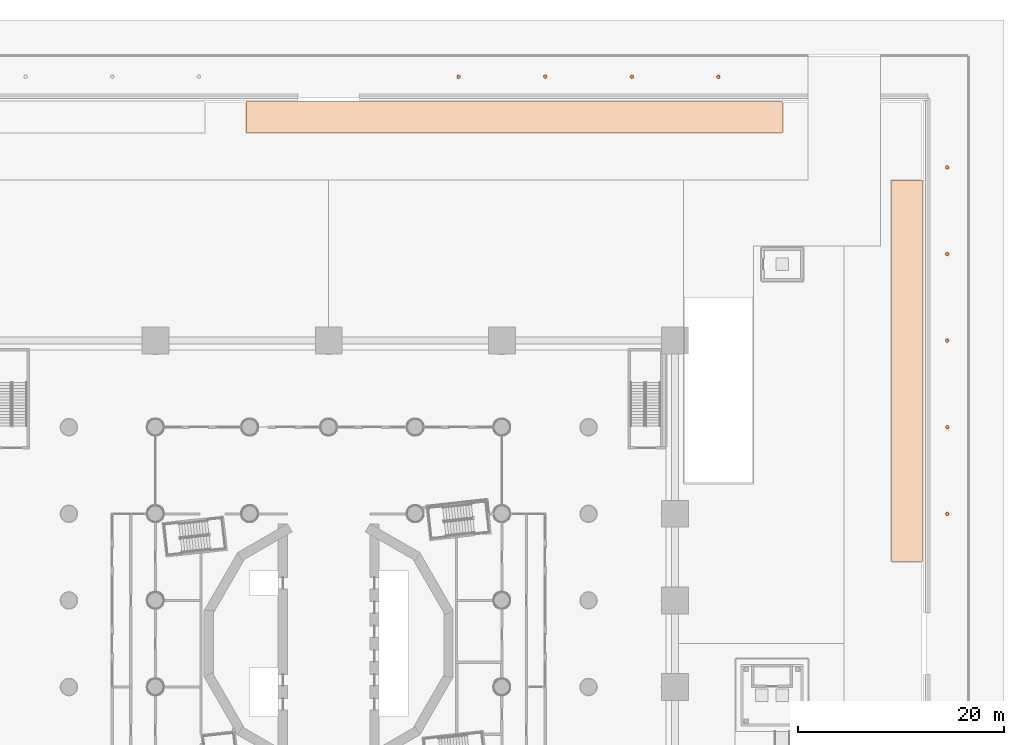
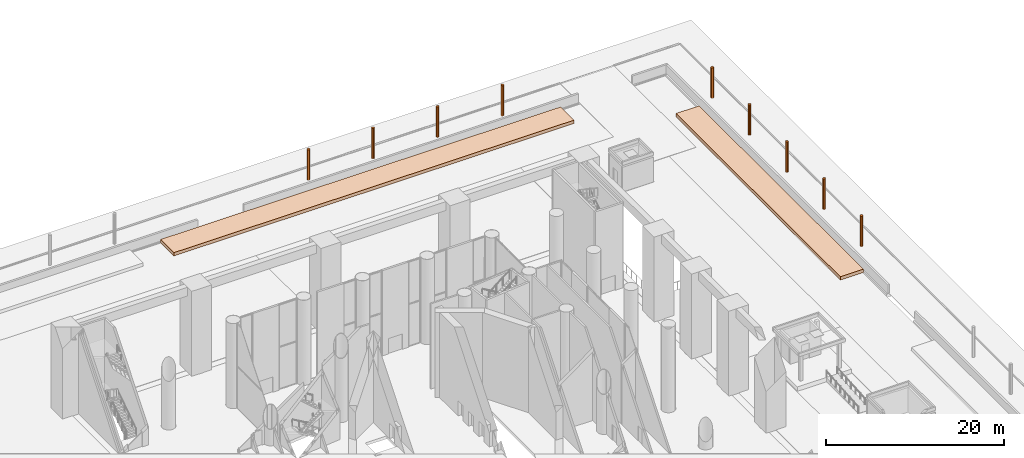
# One storey, part 52 of 52: 11 geographic elements.
"""IFC4 building model written with IfcOpenShell, lengths in metres."""

from ifc_helpers import new_model, si_unit, direction, frame, origin, origin_2d, place, context, subcontext, project, spatial, polyline, circle, outline, extrude, material, material_profile, profile_set, type_object, element, save


model = new_model("IFC4")

# Units and contexts
model_context = context("Model", 3, precision=1e-05, world=origin(), true_north=direction((0.0, 1.0)))
body_context = subcontext(model_context, "Body", "Model", "MODEL_VIEW")
ifc_project = project(units=[si_unit("LENGTHUNIT", "METRE"), si_unit("AREAUNIT", "SQUARE_METRE"), si_unit("VOLUMEUNIT", "CUBIC_METRE"), si_unit("PLANEANGLEUNIT", "RADIAN"), si_unit("MASSUNIT", "GRAM", prefix="KILO")], contexts=[model_context])

# Site, building, storey
site_placement = place(None, origin())
site = spatial("IfcSite", under=ifc_project, at=site_placement, CompositionType="ELEMENT")
building_placement = place(site_placement, origin())
building = spatial("IfcBuilding", under=site, at=building_placement, Name="Cantera Rosa Tower", CompositionType="ELEMENT")
storey_placement = place(building_placement, origin())
storey = spatial("IfcBuildingStorey", under=building, at=storey_placement, Name="L00", CompositionType="ELEMENT", Elevation=0.0)

# Geographic elements
ifc_material_1 = material(Name="Planting soil")
geographic_element_type_1 = type_object("IfcGeographicElementType", Name="Planting bed 450", PredefinedType="USERDEFINED", material=ifc_material_1)
geographic_element_1_placement = place(storey_placement, origin())
element("IfcGeographicElement", 1, at=geographic_element_1_placement, inside=storey, type_object=geographic_element_type_1, Name="North bed centre", ObjectType="PLANTING_BED", PredefinedType="USERDEFINED", context=body_context, shape_type="SweptSolid", body=[
    extrude(outline(polyline([(44.0, 49.60009765625), (44.0, 52.60009765625), (-8.0, 52.60009765625), (-8.0, 49.60009765625), (44.0, 49.60009765625)])), origin(), (0.0, 0.0, 1.0), 0.449951171875),
])
geographic_element_2_placement = place(storey_placement, origin())
element("IfcGeographicElement", 2, at=geographic_element_2_placement, inside=storey, type_object=geographic_element_type_1, Name="East bed north", ObjectType="PLANTING_BED", PredefinedType="USERDEFINED", context=body_context, shape_type="SweptSolid", body=[
    extrude(outline(polyline([(57.60009765625, 8.0), (57.60009765625, 45.0), (54.60009765625, 45.0), (54.60009765625, 8.0), (57.60009765625, 8.0)])), origin(), (0.0, 0.0, 1.0), 0.449951171875),
])
ifc_material_2 = material(Name="Timber", Category="wood")
ifc_material_profile = material_profile(ifc_material_2, circle(Radius=0.175048828125, at=origin_2d()), Name="Street tree 350")
ifc_profile_set = profile_set([ifc_material_profile], Name="Timber")
geographic_element_type_2 = type_object("IfcGeographicElementType", Name="Street tree 350", PredefinedType="USERDEFINED", material=ifc_profile_set)
for number, where, z_axis, x_axis, name in (
    (3, (12.60009765625, 55.0, 0.0), (0.0, 0.0, 1.0), (1.0, 0.0, 0.0), "Street tree N16"),
    (4, (21.0, 55.0, 0.0), (0.0, 0.0, 1.0), (1.0, 0.0, 0.0), "Street tree N17"),
    (5, (29.39990234375, 55.0, 0.0), (0.0, 0.0, 1.0), (1.0, 0.0, 0.0), "Street tree N18"),
    (6, (37.800048828125, 55.0, 0.0), (0.0, 0.0, 1.0), (1.0, 0.0, 0.0), "Street tree N19"),
    (7, (60.0, 12.60009765625, 0.0), (0.0, 0.0, 1.0), (1.0, 0.0, 0.0), "Street tree E36"),
    (8, (60.0, 21.0, 0.0), (0.0, 0.0, 1.0), (1.0, 0.0, 0.0), "Street tree E37"),
    (9, (60.0, 29.39990234375, 0.0), (0.0, 0.0, 1.0), (1.0, 0.0, 0.0), "Street tree E38"),
    (10, (60.0, 37.800048828125, 0.0), (0.0, 0.0, 1.0), (1.0, 0.0, 0.0), "Street tree E39"),
    (11, (60.0, 46.199951171875, 0.0), (0.0, 0.0, 1.0), (1.0, 0.0, 0.0), "Street tree E40"),
):
    element("IfcGeographicElement", number, at=place(storey_placement, frame(where, z_axis=z_axis, x_axis=x_axis)), inside=storey, type_object=geographic_element_type_2, Name=name, ObjectType="TREE", PredefinedType="USERDEFINED", context=body_context, shape_type="SweptSolid", body=[
        extrude(circle(Radius=0.175048828125, at=origin_2d()), origin(), (0.0, 0.0, 1.0), 4.199951171875),
    ])

save(model, "model.ifc")
